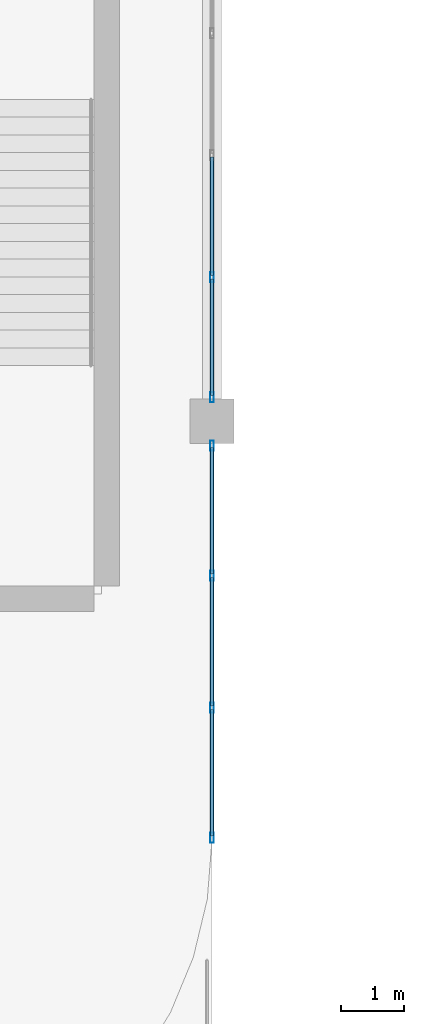
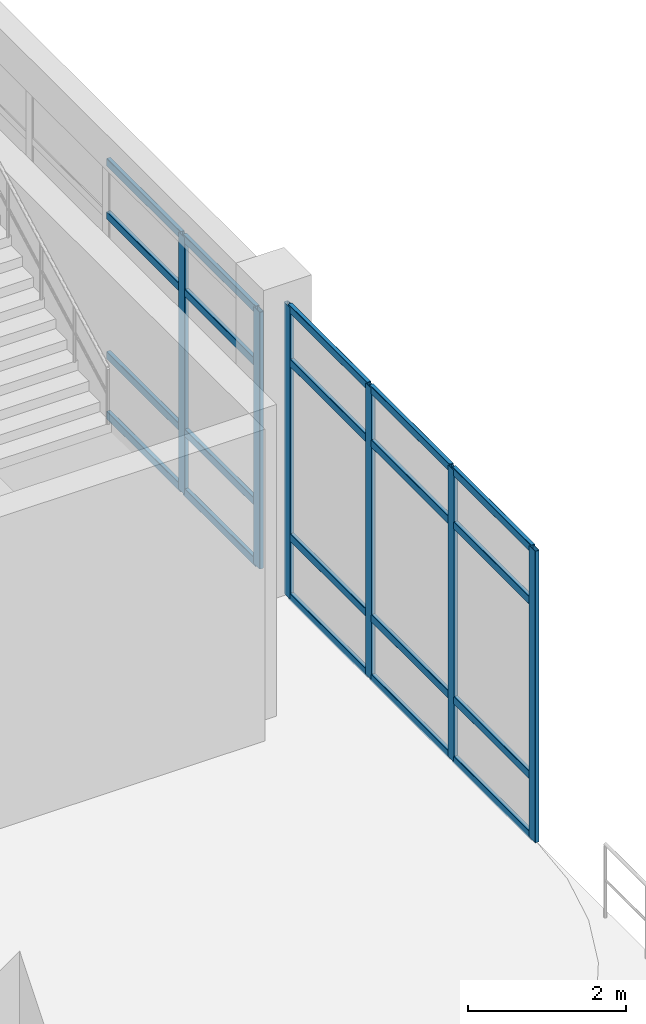
# One storey, part 21 of 76: 26 members, 2 elements without a shape of their own.
"""IFC4 building model written with IfcOpenShell, lengths in metres."""

from ifc_helpers import new_model, si_unit, derived_unit, direction, frame, origin, origin_2d, place, context, subcontext, project, spatial, hollow_rectangle, extrude, material, layer, layer_set, material_profile, profile_set, type_object, element, aggregate, save


model = new_model("IFC4")

# Units and contexts
model_context = context("Model", 3, precision=1e-05, world=origin(), true_north=direction((0.0, 1.0)))
body_context = subcontext(model_context, "Body", "Model", "MODEL_VIEW")
ifc_project = project(units=[si_unit("LENGTHUNIT", "METRE"), si_unit("AREAUNIT", "SQUARE_METRE"), si_unit("VOLUMEUNIT", "CUBIC_METRE"), si_unit("PLANEANGLEUNIT", "RADIAN"), si_unit("MASSUNIT", "GRAM", prefix="KILO"), derived_unit("THERMALTRANSMITTANCEUNIT", [(si_unit("MASSUNIT", "GRAM", prefix="KILO"), 1), (si_unit("TIMEUNIT", "SECOND"), -3), (si_unit("THERMODYNAMICTEMPERATUREUNIT", "KELVIN"), -1)])], contexts=[model_context])

# Site, building, storey
site_placement = place(None, origin())
site = spatial("IfcSite", under=ifc_project, at=site_placement, CompositionType="ELEMENT")
building_placement = place(site_placement, origin())
building = spatial("IfcBuilding", under=site, at=building_placement, Name="Qinzheling Arcade Emporium", CompositionType="ELEMENT")
storey_placement = place(building_placement, frame((0.0, 0.0, 26.699951171875)))
storey = spatial("IfcBuildingStorey", under=building, at=storey_placement, Name="L06", CompositionType="ELEMENT", Elevation=26.699951171875)

# Curtain wall, members
ifc_material_1 = material(Name="Anodised aluminium and solar-control double glazing", Category="aluminium")
ifc_layer = layer(ifc_material_1, 0.159912109375, Name="Anodised aluminium and solar-control double glazing", Category="aluminium")
ifc_layer_set = layer_set([ifc_layer], Name="Anodised aluminium and solar-control double glazing")
curtain_wall_type = type_object("IfcCurtainWallType", Name="Arcade Portal Glazed Curtain Wall", PredefinedType="NOTDEFINED", material=ifc_layer_set)
curtain_wall_1_placement = place(storey_placement, origin())
curtain_wall_1 = element("IfcCurtainWall", 1, at=curtain_wall_1_placement, inside=storey, type_object=curtain_wall_type, Name="Curtain Wall CW-L06-380", PredefinedType="NOTDEFINED")
ifc_material_2 = material(Name="Anodised aluminium 6063-T6", Category="aluminium")
ifc_material_profile_1 = material_profile(ifc_material_2, hollow_rectangle(XDim=0.06005859375, YDim=0.159912109375, WallThickness=0.00390625, InnerFilletRadius=0.00390625, OuterFilletRadius=0.008056640625, at=origin_2d()), Name="RHS 160x60x4", Category="aluminium")
ifc_profile_set_1 = profile_set([ifc_material_profile_1], Name="Anodised aluminium 6063-T6")
member_type_1 = type_object("IfcMemberType", Name="Curtain Wall Mullion RHS160x60", PredefinedType="MULLION", material=ifc_profile_set_1)
member_1_placement = place(storey_placement, frame((69.60009765625, 27.47607421875, 0.0), z_axis=(0.0, 0.0, 1.0), x_axis=(1.0, 0.0, 0.0)))
member_1 = element("IfcMember", 2, at=member_1_placement, type_object=member_type_1, Name="CW05 mullion 4", PredefinedType="MULLION", context=body_context, shape_type="SweptSolid", body=[
    extrude(hollow_rectangle(XDim=0.06005859375, YDim=0.159912109375, WallThickness=0.00390625, InnerFilletRadius=0.00390625, OuterFilletRadius=0.008056640625, at=origin_2d()), origin(), (0.0, 0.0, 1.0), 3.955078125),
])
member_2_placement = place(storey_placement, frame((69.60009765625, 25.58203125, 0.0), z_axis=(0.0, 0.0, 1.0), x_axis=(1.0, 0.0, 0.0)))
member_2 = element("IfcMember", 3, at=member_2_placement, type_object=member_type_1, Name="CW05 mullion 5", PredefinedType="MULLION", context=body_context, shape_type="SweptSolid", body=[
    extrude(hollow_rectangle(XDim=0.06005859375, YDim=0.159912109375, WallThickness=0.00390625, InnerFilletRadius=0.00390625, OuterFilletRadius=0.008056640625, at=origin_2d()), origin(), (0.0, 0.0, 1.0), 3.955078125),
])

curtain_wall_2_placement = place(storey_placement, origin())
curtain_wall_2 = element("IfcCurtainWall", 4, at=curtain_wall_2_placement, inside=storey, type_object=curtain_wall_type, Name="Curtain Wall CW-L06-381", PredefinedType="NOTDEFINED")
member_3_placement = place(storey_placement, frame((69.60009765625, 24.818115234375, 0.0), z_axis=(0.0, 0.0, 1.0), x_axis=(1.0, 0.0, 0.0)))
member_3 = element("IfcMember", 5, at=member_3_placement, type_object=member_type_1, Name="CW05 mullion 1", PredefinedType="MULLION", context=body_context, shape_type="SweptSolid", body=[
    extrude(hollow_rectangle(XDim=0.06005859375, YDim=0.159912109375, WallThickness=0.00390625, InnerFilletRadius=0.00390625, OuterFilletRadius=0.008056640625, at=origin_2d()), origin(), (0.0, 0.0, 1.0), 4.489990234375),
])
member_4_placement = place(storey_placement, frame((69.60009765625, 22.765380859375, 0.0), z_axis=(0.0, 0.0, 1.0), x_axis=(1.0, 0.0, 0.0)))
member_4 = element("IfcMember", 6, at=member_4_placement, type_object=member_type_1, Name="CW05 mullion 2", PredefinedType="MULLION", context=body_context, shape_type="SweptSolid", body=[
    extrude(hollow_rectangle(XDim=0.06005859375, YDim=0.159912109375, WallThickness=0.00390625, InnerFilletRadius=0.00390625, OuterFilletRadius=0.008056640625, at=origin_2d()), origin(), (0.0, 0.0, 1.0), 4.489990234375),
])
member_5_placement = place(storey_placement, frame((69.60009765625, 20.6826171875, 0.0), z_axis=(0.0, 0.0, 1.0), x_axis=(1.0, 0.0, 0.0)))
member_5 = element("IfcMember", 7, at=member_5_placement, type_object=member_type_1, Name="CW05 mullion 3", PredefinedType="MULLION", context=body_context, shape_type="SweptSolid", body=[
    extrude(hollow_rectangle(XDim=0.06005859375, YDim=0.159912109375, WallThickness=0.00390625, InnerFilletRadius=0.00390625, OuterFilletRadius=0.008056640625, at=origin_2d()), origin(), (0.0, 0.0, 1.0), 4.489990234375),
])
member_6_placement = place(storey_placement, frame((69.60009765625, 18.6298828125, 0.0), z_axis=(0.0, 0.0, 1.0), x_axis=(1.0, 0.0, 0.0)))
member_6 = element("IfcMember", 8, at=member_6_placement, type_object=member_type_1, Name="CW05 mullion 4", PredefinedType="MULLION", context=body_context, shape_type="SweptSolid", body=[
    extrude(hollow_rectangle(XDim=0.06005859375, YDim=0.159912109375, WallThickness=0.00390625, InnerFilletRadius=0.00390625, OuterFilletRadius=0.008056640625, at=origin_2d()), origin(), (0.0, 0.0, 1.0), 4.489990234375),
])

# Member
ifc_material_profile_2 = material_profile(ifc_material_2, hollow_rectangle(XDim=0.06005859375, YDim=0.1201171875, WallThickness=0.00390625, InnerFilletRadius=0.00390625, OuterFilletRadius=0.008056640625, at=origin_2d()), Name="RHS 120x60x4", Category="aluminium")
ifc_profile_set_2 = profile_set([ifc_material_profile_2], Name="Anodised aluminium 6063-T6")
member_type_2 = type_object("IfcMemberType", Name="Curtain Wall Transom RHS120x60", PredefinedType="USERDEFINED", material=ifc_profile_set_2)
member_7_placement = place(storey_placement, frame((69.60009765625, 29.3701171875, 0.030029296875), z_axis=(0.0, -1.0, 0.0), x_axis=(1.0, 0.0, 0.0)))
member_7 = element("IfcMember", 9, at=member_7_placement, type_object=member_type_2, Name="CW05 transom 3.1", ObjectType="TRANSOM", PredefinedType="USERDEFINED", context=body_context, shape_type="SweptSolid", body=[
    extrude(hollow_rectangle(XDim=0.06005859375, YDim=0.1201171875, WallThickness=0.00390625, InnerFilletRadius=0.00390625, OuterFilletRadius=0.008056640625, at=origin_2d()), origin(), (0.0, 0.0, 1.0), 1.864013671875),
])

member_8_placement = place(storey_placement, frame((69.60009765625, 29.3701171875, 0.949951171875), z_axis=(0.0, -1.0, 0.0), x_axis=(1.0, 0.0, 0.0)))
member_8 = element("IfcMember", 10, at=member_8_placement, type_object=member_type_2, Name="CW05 transom 3.2", ObjectType="TRANSOM", PredefinedType="USERDEFINED", context=body_context, shape_type="SweptSolid", body=[
    extrude(hollow_rectangle(XDim=0.06005859375, YDim=0.1201171875, WallThickness=0.00390625, InnerFilletRadius=0.00390625, OuterFilletRadius=0.008056640625, at=origin_2d()), origin(), (0.0, 0.0, 1.0), 1.864013671875),
])

member_9_placement = place(storey_placement, frame((69.60009765625, 29.3701171875, 3.10498046875), z_axis=(0.0, -1.0, 0.0), x_axis=(1.0, 0.0, 0.0)))
member_9 = element("IfcMember", 11, at=member_9_placement, type_object=member_type_2, Name="CW05 transom 3.3", ObjectType="TRANSOM", PredefinedType="USERDEFINED", context=body_context, shape_type="SweptSolid", body=[
    extrude(hollow_rectangle(XDim=0.06005859375, YDim=0.1201171875, WallThickness=0.00390625, InnerFilletRadius=0.00390625, OuterFilletRadius=0.008056640625, at=origin_2d()), origin(), (0.0, 0.0, 1.0), 1.864013671875),
])

member_10_placement = place(storey_placement, frame((69.60009765625, 29.3701171875, 3.925048828125), z_axis=(0.0, -1.0, 0.0), x_axis=(1.0, 0.0, 0.0)))
member_10 = element("IfcMember", 12, at=member_10_placement, type_object=member_type_2, Name="CW05 transom 3.4", ObjectType="TRANSOM", PredefinedType="USERDEFINED", context=body_context, shape_type="SweptSolid", body=[
    extrude(hollow_rectangle(XDim=0.06005859375, YDim=0.1201171875, WallThickness=0.00390625, InnerFilletRadius=0.00390625, OuterFilletRadius=0.008056640625, at=origin_2d()), origin(), (0.0, 0.0, 1.0), 1.864013671875),
])

member_11_placement = place(storey_placement, frame((69.60009765625, 27.446044921875, 0.030029296875), z_axis=(0.0, -1.0, 0.0), x_axis=(1.0, 0.0, 0.0)))
member_11 = element("IfcMember", 13, at=member_11_placement, type_object=member_type_2, Name="CW05 transom 4.1", ObjectType="TRANSOM", PredefinedType="USERDEFINED", context=body_context, shape_type="SweptSolid", body=[
    extrude(hollow_rectangle(XDim=0.06005859375, YDim=0.1201171875, WallThickness=0.00390625, InnerFilletRadius=0.00390625, OuterFilletRadius=0.008056640625, at=origin_2d()), origin(), (0.0, 0.0, 1.0), 1.833984375),
])

member_12_placement = place(storey_placement, frame((69.60009765625, 27.446044921875, 0.949951171875), z_axis=(0.0, -1.0, 0.0), x_axis=(1.0, 0.0, 0.0)))
member_12 = element("IfcMember", 14, at=member_12_placement, type_object=member_type_2, Name="CW05 transom 4.2", ObjectType="TRANSOM", PredefinedType="USERDEFINED", context=body_context, shape_type="SweptSolid", body=[
    extrude(hollow_rectangle(XDim=0.06005859375, YDim=0.1201171875, WallThickness=0.00390625, InnerFilletRadius=0.00390625, OuterFilletRadius=0.008056640625, at=origin_2d()), origin(), (0.0, 0.0, 1.0), 1.833984375),
])

member_13_placement = place(storey_placement, frame((69.60009765625, 27.446044921875, 3.10498046875), z_axis=(0.0, -1.0, 0.0), x_axis=(1.0, 0.0, 0.0)))
member_13 = element("IfcMember", 15, at=member_13_placement, type_object=member_type_2, Name="CW05 transom 4.3", ObjectType="TRANSOM", PredefinedType="USERDEFINED", context=body_context, shape_type="SweptSolid", body=[
    extrude(hollow_rectangle(XDim=0.06005859375, YDim=0.1201171875, WallThickness=0.00390625, InnerFilletRadius=0.00390625, OuterFilletRadius=0.008056640625, at=origin_2d()), origin(), (0.0, 0.0, 1.0), 1.833984375),
])

member_14_placement = place(storey_placement, frame((69.60009765625, 27.446044921875, 3.925048828125), z_axis=(0.0, -1.0, 0.0), x_axis=(1.0, 0.0, 0.0)))
member_14 = element("IfcMember", 16, at=member_14_placement, type_object=member_type_2, Name="CW05 transom 4.4", ObjectType="TRANSOM", PredefinedType="USERDEFINED", context=body_context, shape_type="SweptSolid", body=[
    extrude(hollow_rectangle(XDim=0.06005859375, YDim=0.1201171875, WallThickness=0.00390625, InnerFilletRadius=0.00390625, OuterFilletRadius=0.008056640625, at=origin_2d()), origin(), (0.0, 0.0, 1.0), 1.833984375),
])

aggregate(curtain_wall_1, [member_1, member_2, member_7, member_8, member_9, member_10, member_11, member_12, member_13, member_14])

member_15_placement = place(storey_placement, frame((69.60009765625, 24.7880859375, 0.030029296875), z_axis=(0.0, -1.0, 0.0), x_axis=(1.0, 0.0, 0.0)))
member_15 = element("IfcMember", 17, at=member_15_placement, type_object=member_type_2, Name="CW05 transom 1.1", ObjectType="TRANSOM", PredefinedType="USERDEFINED", context=body_context, shape_type="SweptSolid", body=[
    extrude(hollow_rectangle(XDim=0.06005859375, YDim=0.1201171875, WallThickness=0.00390625, InnerFilletRadius=0.00390625, OuterFilletRadius=0.008056640625, at=origin_2d()), origin(), (0.0, 0.0, 1.0), 1.99267578125),
])

member_16_placement = place(storey_placement, frame((69.60009765625, 24.7880859375, 0.949951171875), z_axis=(0.0, -1.0, 0.0), x_axis=(1.0, 0.0, 0.0)))
member_16 = element("IfcMember", 18, at=member_16_placement, type_object=member_type_2, Name="CW05 transom 1.2", ObjectType="TRANSOM", PredefinedType="USERDEFINED", context=body_context, shape_type="SweptSolid", body=[
    extrude(hollow_rectangle(XDim=0.06005859375, YDim=0.1201171875, WallThickness=0.00390625, InnerFilletRadius=0.00390625, OuterFilletRadius=0.008056640625, at=origin_2d()), origin(), (0.0, 0.0, 1.0), 1.99267578125),
])

member_17_placement = place(storey_placement, frame((69.60009765625, 24.7880859375, 3.64013671875), z_axis=(0.0, -1.0, 0.0), x_axis=(1.0, 0.0, 0.0)))
member_17 = element("IfcMember", 19, at=member_17_placement, type_object=member_type_2, Name="CW05 transom 1.3", ObjectType="TRANSOM", PredefinedType="USERDEFINED", context=body_context, shape_type="SweptSolid", body=[
    extrude(hollow_rectangle(XDim=0.06005859375, YDim=0.1201171875, WallThickness=0.00390625, InnerFilletRadius=0.00390625, OuterFilletRadius=0.008056640625, at=origin_2d()), origin(), (0.0, 0.0, 1.0), 1.99267578125),
])

member_18_placement = place(storey_placement, frame((69.60009765625, 24.7880859375, 4.4599609375), z_axis=(0.0, -1.0, 0.0), x_axis=(1.0, 0.0, 0.0)))
member_18 = element("IfcMember", 20, at=member_18_placement, type_object=member_type_2, Name="CW05 transom 1.4", ObjectType="TRANSOM", PredefinedType="USERDEFINED", context=body_context, shape_type="SweptSolid", body=[
    extrude(hollow_rectangle(XDim=0.06005859375, YDim=0.1201171875, WallThickness=0.00390625, InnerFilletRadius=0.00390625, OuterFilletRadius=0.008056640625, at=origin_2d()), origin(), (0.0, 0.0, 1.0), 1.99267578125),
])

member_19_placement = place(storey_placement, frame((69.60009765625, 22.7353515625, 0.030029296875), z_axis=(0.0, -1.0, 0.0), x_axis=(1.0, 0.0, 0.0)))
member_19 = element("IfcMember", 21, at=member_19_placement, type_object=member_type_2, Name="CW05 transom 2.1", ObjectType="TRANSOM", PredefinedType="USERDEFINED", context=body_context, shape_type="SweptSolid", body=[
    extrude(hollow_rectangle(XDim=0.06005859375, YDim=0.1201171875, WallThickness=0.00390625, InnerFilletRadius=0.00390625, OuterFilletRadius=0.008056640625, at=origin_2d()), origin(), (0.0, 0.0, 1.0), 2.022705078125),
])

member_20_placement = place(storey_placement, frame((69.60009765625, 22.7353515625, 0.949951171875), z_axis=(0.0, -1.0, 0.0), x_axis=(1.0, 0.0, 0.0)))
member_20 = element("IfcMember", 22, at=member_20_placement, type_object=member_type_2, Name="CW05 transom 2.2", ObjectType="TRANSOM", PredefinedType="USERDEFINED", context=body_context, shape_type="SweptSolid", body=[
    extrude(hollow_rectangle(XDim=0.06005859375, YDim=0.1201171875, WallThickness=0.00390625, InnerFilletRadius=0.00390625, OuterFilletRadius=0.008056640625, at=origin_2d()), origin(), (0.0, 0.0, 1.0), 2.022705078125),
])

member_21_placement = place(storey_placement, frame((69.60009765625, 22.7353515625, 3.64013671875), z_axis=(0.0, -1.0, 0.0), x_axis=(1.0, 0.0, 0.0)))
member_21 = element("IfcMember", 23, at=member_21_placement, type_object=member_type_2, Name="CW05 transom 2.3", ObjectType="TRANSOM", PredefinedType="USERDEFINED", context=body_context, shape_type="SweptSolid", body=[
    extrude(hollow_rectangle(XDim=0.06005859375, YDim=0.1201171875, WallThickness=0.00390625, InnerFilletRadius=0.00390625, OuterFilletRadius=0.008056640625, at=origin_2d()), origin(), (0.0, 0.0, 1.0), 2.022705078125),
])

member_22_placement = place(storey_placement, frame((69.60009765625, 22.7353515625, 4.4599609375), z_axis=(0.0, -1.0, 0.0), x_axis=(1.0, 0.0, 0.0)))
member_22 = element("IfcMember", 24, at=member_22_placement, type_object=member_type_2, Name="CW05 transom 2.4", ObjectType="TRANSOM", PredefinedType="USERDEFINED", context=body_context, shape_type="SweptSolid", body=[
    extrude(hollow_rectangle(XDim=0.06005859375, YDim=0.1201171875, WallThickness=0.00390625, InnerFilletRadius=0.00390625, OuterFilletRadius=0.008056640625, at=origin_2d()), origin(), (0.0, 0.0, 1.0), 2.022705078125),
])

member_23_placement = place(storey_placement, frame((69.60009765625, 20.652587890625, 0.030029296875), z_axis=(0.0, -1.0, 0.0), x_axis=(1.0, 0.0, 0.0)))
member_23 = element("IfcMember", 25, at=member_23_placement, type_object=member_type_2, Name="CW05 transom 3.1", ObjectType="TRANSOM", PredefinedType="USERDEFINED", context=body_context, shape_type="SweptSolid", body=[
    extrude(hollow_rectangle(XDim=0.06005859375, YDim=0.1201171875, WallThickness=0.00390625, InnerFilletRadius=0.00390625, OuterFilletRadius=0.008056640625, at=origin_2d()), origin(), (0.0, 0.0, 1.0), 1.99267578125),
])

member_24_placement = place(storey_placement, frame((69.60009765625, 20.652587890625, 0.949951171875), z_axis=(0.0, -1.0, 0.0), x_axis=(1.0, 0.0, 0.0)))
member_24 = element("IfcMember", 26, at=member_24_placement, type_object=member_type_2, Name="CW05 transom 3.2", ObjectType="TRANSOM", PredefinedType="USERDEFINED", context=body_context, shape_type="SweptSolid", body=[
    extrude(hollow_rectangle(XDim=0.06005859375, YDim=0.1201171875, WallThickness=0.00390625, InnerFilletRadius=0.00390625, OuterFilletRadius=0.008056640625, at=origin_2d()), origin(), (0.0, 0.0, 1.0), 1.99267578125),
])

member_25_placement = place(storey_placement, frame((69.60009765625, 20.652587890625, 3.64013671875), z_axis=(0.0, -1.0, 0.0), x_axis=(1.0, 0.0, 0.0)))
member_25 = element("IfcMember", 27, at=member_25_placement, type_object=member_type_2, Name="CW05 transom 3.3", ObjectType="TRANSOM", PredefinedType="USERDEFINED", context=body_context, shape_type="SweptSolid", body=[
    extrude(hollow_rectangle(XDim=0.06005859375, YDim=0.1201171875, WallThickness=0.00390625, InnerFilletRadius=0.00390625, OuterFilletRadius=0.008056640625, at=origin_2d()), origin(), (0.0, 0.0, 1.0), 1.99267578125),
])

member_26_placement = place(storey_placement, frame((69.60009765625, 20.652587890625, 4.4599609375), z_axis=(0.0, -1.0, 0.0), x_axis=(1.0, 0.0, 0.0)))
member_26 = element("IfcMember", 28, at=member_26_placement, type_object=member_type_2, Name="CW05 transom 3.4", ObjectType="TRANSOM", PredefinedType="USERDEFINED", context=body_context, shape_type="SweptSolid", body=[
    extrude(hollow_rectangle(XDim=0.06005859375, YDim=0.1201171875, WallThickness=0.00390625, InnerFilletRadius=0.00390625, OuterFilletRadius=0.008056640625, at=origin_2d()), origin(), (0.0, 0.0, 1.0), 1.99267578125),
])

aggregate(curtain_wall_2, [member_3, member_4, member_5, member_6, member_15, member_16, member_17, member_18, member_19, member_20, member_21, member_22, member_23, member_24, member_25, member_26])

save(model, "model.ifc")
